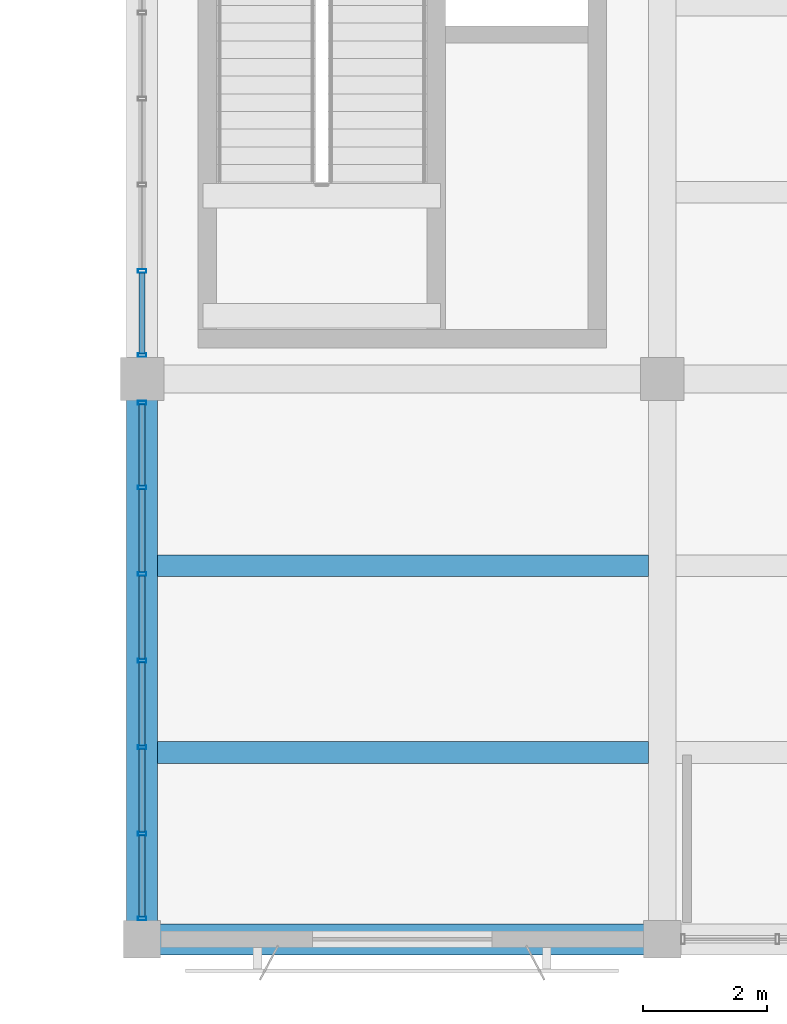
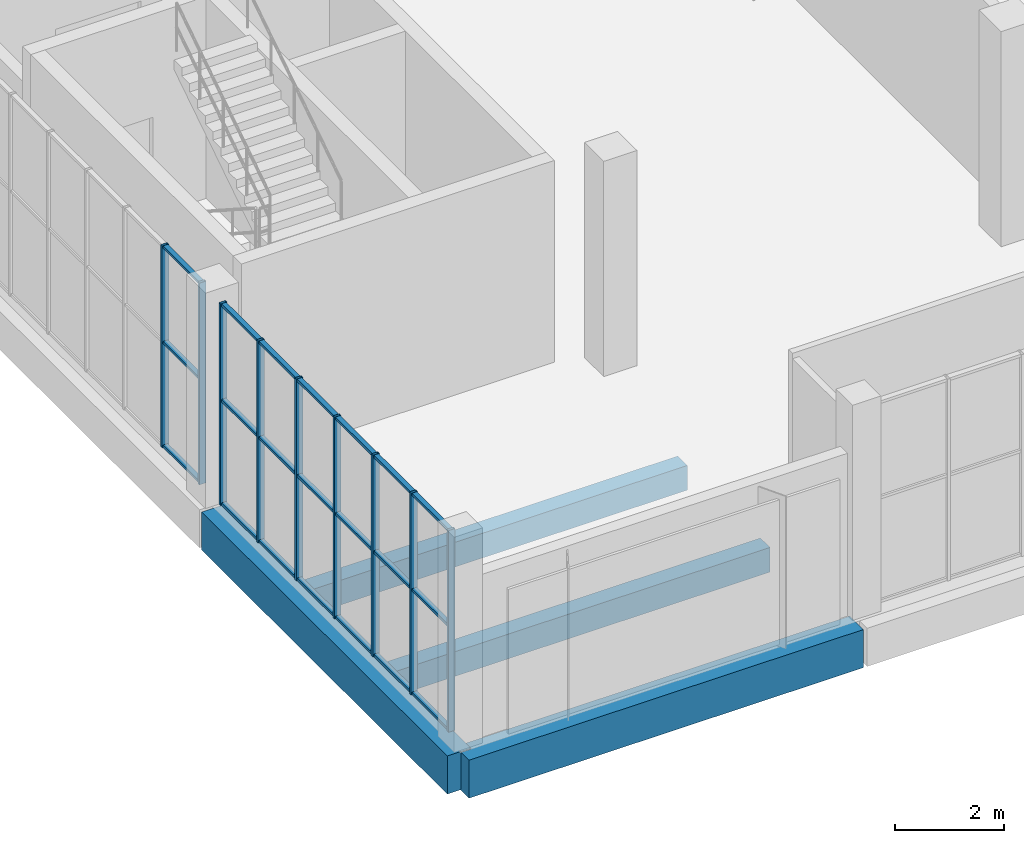
# One storey, part 2 of 80: 30 members, 4 beams, 2 elements without a shape of their own.
"""IFC4 building model written with IfcOpenShell, lengths in metres."""

from ifc_helpers import new_model, si_unit, direction, frame, origin, origin_2d, place, context, subcontext, project, spatial, rectangle, hollow_rectangle, extrude, material, material_profile, profile_set, type_object, element, aggregate, save


model = new_model("IFC4")

# Units and contexts
model_context = context("Model", 3, precision=1e-05, world=origin(), true_north=direction((0.0, 1.0)))
body_context = subcontext(model_context, "Body", "Model", "MODEL_VIEW")
ifc_project = project(units=[si_unit("LENGTHUNIT", "METRE"), si_unit("AREAUNIT", "SQUARE_METRE"), si_unit("VOLUMEUNIT", "CUBIC_METRE"), si_unit("PLANEANGLEUNIT", "RADIAN"), si_unit("MASSUNIT", "GRAM", prefix="KILO")], contexts=[model_context])

# Site, building, storey
site_placement = place(None, origin())
site = spatial("IfcSite", under=ifc_project, at=site_placement, CompositionType="ELEMENT")
building_placement = place(site_placement, origin())
building = spatial("IfcBuilding", under=site, at=building_placement, Name="Khurvash Pelagic Aquarium", CompositionType="ELEMENT")
storey_placement = place(building_placement, frame((0.0, 0.0, 10.800048828125)))
storey = spatial("IfcBuildingStorey", under=building, at=storey_placement, Name="L02", CompositionType="ELEMENT", Elevation=10.800048828125)

# Curtain wall, members
ifc_material_1 = material(Name="Anodised aluminium and low-E laminated glass", Category="aluminium")
curtain_wall_type = type_object("IfcCurtainWallType", Name="CW-03", PredefinedType="USERDEFINED", material=ifc_material_1)
curtain_wall_1_placement = place(storey_placement, origin())
curtain_wall_1 = element("IfcCurtainWall", 1, at=curtain_wall_1_placement, inside=storey, type_object=curtain_wall_type, Name="L02 Facade Unitised Curtain Wall CW-03 0149", ObjectType="UNITISED CURTAIN WALL", PredefinedType="USERDEFINED")
ifc_material_2 = material(Name="Extruded aluminium AW-6063-T6", Category="aluminium")
ifc_material_profile_1 = material_profile(ifc_material_2, hollow_rectangle(XDim=0.06005859375, YDim=0.139892578125, WallThickness=0.00390625, at=origin_2d()), Name="CWM60X140X4")
ifc_profile_set_1 = profile_set([ifc_material_profile_1], Name="Extruded aluminium AW-6063-T6")
member_type_1 = type_object("IfcMemberType", Name="CM-03", PredefinedType="MULLION", material=ifc_profile_set_1)
member_1_placement = place(storey_placement, frame((25.199951171875, 13.39501953125, 0.0), z_axis=(0.0, 0.0, 1.0), x_axis=(0.0, -1.0, 0.0)))
member_1 = element("IfcMember", 2, at=member_1_placement, type_object=member_type_1, Name="CW-03 mullion 6", PredefinedType="MULLION", context=body_context, shape_type="SweptSolid", body=[
    extrude(hollow_rectangle(XDim=0.06005859375, YDim=0.139892578125, WallThickness=0.00390625, at=origin_2d()), origin(), (0.0, 0.0, 1.0), 4.5),
])
member_2_placement = place(storey_placement, frame((25.199951171875, 12.034912109375, 0.0), z_axis=(0.0, 0.0, 1.0), x_axis=(0.0, -1.0, 0.0)))
member_2 = element("IfcMember", 3, at=member_2_placement, type_object=member_type_1, Name="CW-03 mullion 7", PredefinedType="MULLION", context=body_context, shape_type="SweptSolid", body=[
    extrude(hollow_rectangle(XDim=0.06005859375, YDim=0.139892578125, WallThickness=0.00390625, at=origin_2d()), origin(), (0.0, 0.0, 1.0), 4.5),
])

curtain_wall_2_placement = place(storey_placement, origin())
curtain_wall_2 = element("IfcCurtainWall", 4, at=curtain_wall_2_placement, inside=storey, type_object=curtain_wall_type, Name="L02 Facade Unitised Curtain Wall CW-03 0150", ObjectType="UNITISED CURTAIN WALL", PredefinedType="USERDEFINED")
member_3_placement = place(storey_placement, frame((25.199951171875, 11.264892578125, 0.0), z_axis=(0.0, 0.0, 1.0), x_axis=(0.0, -1.0, 0.0)))
member_3 = element("IfcMember", 5, at=member_3_placement, type_object=member_type_1, Name="CW-03 mullion 1", PredefinedType="MULLION", context=body_context, shape_type="SweptSolid", body=[
    extrude(hollow_rectangle(XDim=0.06005859375, YDim=0.139892578125, WallThickness=0.00390625, at=origin_2d()), origin(), (0.0, 0.0, 1.0), 4.5),
])
member_4_placement = place(storey_placement, frame((25.199951171875, 9.896728515625, 0.0), z_axis=(0.0, 0.0, 1.0), x_axis=(0.0, -1.0, 0.0)))
member_4 = element("IfcMember", 6, at=member_4_placement, type_object=member_type_1, Name="CW-03 mullion 2", PredefinedType="MULLION", context=body_context, shape_type="SweptSolid", body=[
    extrude(hollow_rectangle(XDim=0.06005859375, YDim=0.139892578125, WallThickness=0.00390625, at=origin_2d()), origin(), (0.0, 0.0, 1.0), 4.5),
])
member_5_placement = place(storey_placement, frame((25.199951171875, 8.498291015625, 0.0), z_axis=(0.0, 0.0, 1.0), x_axis=(0.0, -1.0, 0.0)))
member_5 = element("IfcMember", 7, at=member_5_placement, type_object=member_type_1, Name="CW-03 mullion 3", PredefinedType="MULLION", context=body_context, shape_type="SweptSolid", body=[
    extrude(hollow_rectangle(XDim=0.06005859375, YDim=0.139892578125, WallThickness=0.00390625, at=origin_2d()), origin(), (0.0, 0.0, 1.0), 4.5),
])
member_6_placement = place(storey_placement, frame((25.199951171875, 7.10009765625, 0.0), z_axis=(0.0, 0.0, 1.0), x_axis=(0.0, -1.0, 0.0)))
member_6 = element("IfcMember", 8, at=member_6_placement, type_object=member_type_1, Name="CW-03 mullion 4", PredefinedType="MULLION", context=body_context, shape_type="SweptSolid", body=[
    extrude(hollow_rectangle(XDim=0.06005859375, YDim=0.139892578125, WallThickness=0.00390625, at=origin_2d()), origin(), (0.0, 0.0, 1.0), 4.5),
])
member_7_placement = place(storey_placement, frame((25.199951171875, 5.70166015625, 0.0), z_axis=(0.0, 0.0, 1.0), x_axis=(0.0, -1.0, 0.0)))
member_7 = element("IfcMember", 9, at=member_7_placement, type_object=member_type_1, Name="CW-03 mullion 5", PredefinedType="MULLION", context=body_context, shape_type="SweptSolid", body=[
    extrude(hollow_rectangle(XDim=0.06005859375, YDim=0.139892578125, WallThickness=0.00390625, at=origin_2d()), origin(), (0.0, 0.0, 1.0), 4.5),
])
member_8_placement = place(storey_placement, frame((25.199951171875, 4.30322265625, 0.0), z_axis=(0.0, 0.0, 1.0), x_axis=(0.0, -1.0, 0.0)))
member_8 = element("IfcMember", 10, at=member_8_placement, type_object=member_type_1, Name="CW-03 mullion 6", PredefinedType="MULLION", context=body_context, shape_type="SweptSolid", body=[
    extrude(hollow_rectangle(XDim=0.06005859375, YDim=0.139892578125, WallThickness=0.00390625, at=origin_2d()), origin(), (0.0, 0.0, 1.0), 4.5),
])
member_9_placement = place(storey_placement, frame((25.199951171875, 2.93505859375, 0.0), z_axis=(0.0, 0.0, 1.0), x_axis=(0.0, -1.0, 0.0)))
member_9 = element("IfcMember", 11, at=member_9_placement, type_object=member_type_1, Name="CW-03 mullion 7", PredefinedType="MULLION", context=body_context, shape_type="SweptSolid", body=[
    extrude(hollow_rectangle(XDim=0.06005859375, YDim=0.139892578125, WallThickness=0.00390625, at=origin_2d()), origin(), (0.0, 0.0, 1.0), 4.5),
])

# Member
ifc_material_profile_2 = material_profile(ifc_material_2, hollow_rectangle(XDim=0.10009765625, YDim=0.06005859375, WallThickness=0.00390625, at=origin_2d()), Name="CWT100X60X4")
ifc_profile_set_2 = profile_set([ifc_material_profile_2], Name="Extruded aluminium AW-6063-T6")
member_type_2 = type_object("IfcMemberType", Name="CT-03", PredefinedType="USERDEFINED", material=ifc_profile_set_2)
member_10_placement = place(storey_placement, frame((25.199951171875, 13.364990234375, 0.030029296875), z_axis=(0.0, -1.0, 0.0), x_axis=(1.0, 0.0, 0.0)))
member_10 = element("IfcMember", 12, at=member_10_placement, type_object=member_type_2, Name="CW-03 transom 6.1", ObjectType="TRANSOM", PredefinedType="USERDEFINED", context=body_context, shape_type="SweptSolid", body=[
    extrude(hollow_rectangle(XDim=0.10009765625, YDim=0.06005859375, WallThickness=0.00390625, at=origin_2d()), origin(), (0.0, 0.0, 1.0), 1.300048828125),
])

member_11_placement = place(storey_placement, frame((25.199951171875, 13.364990234375, 2.33984375), z_axis=(0.0, -1.0, 0.0), x_axis=(1.0, 0.0, 0.0)))
member_11 = element("IfcMember", 13, at=member_11_placement, type_object=member_type_2, Name="CW-03 transom 6.2", ObjectType="TRANSOM", PredefinedType="USERDEFINED", context=body_context, shape_type="SweptSolid", body=[
    extrude(hollow_rectangle(XDim=0.10009765625, YDim=0.06005859375, WallThickness=0.00390625, at=origin_2d()), origin(), (0.0, 0.0, 1.0), 1.300048828125),
])

member_12_placement = place(storey_placement, frame((25.199951171875, 13.364990234375, 4.469970703125), z_axis=(0.0, -1.0, 0.0), x_axis=(1.0, 0.0, 0.0)))
member_12 = element("IfcMember", 14, at=member_12_placement, type_object=member_type_2, Name="CW-03 transom 6.3", ObjectType="TRANSOM", PredefinedType="USERDEFINED", context=body_context, shape_type="SweptSolid", body=[
    extrude(hollow_rectangle(XDim=0.10009765625, YDim=0.06005859375, WallThickness=0.00390625, at=origin_2d()), origin(), (0.0, 0.0, 1.0), 1.300048828125),
])

aggregate(curtain_wall_1, [member_1, member_2, member_10, member_11, member_12])

member_13_placement = place(storey_placement, frame((25.199951171875, 11.235107421875, 0.030029296875), z_axis=(0.0, -1.0, 0.0), x_axis=(1.0, 0.0, 0.0)))
member_13 = element("IfcMember", 15, at=member_13_placement, type_object=member_type_2, Name="CW-03 transom 1.1", ObjectType="TRANSOM", PredefinedType="USERDEFINED", context=body_context, shape_type="SweptSolid", body=[
    extrude(hollow_rectangle(XDim=0.10009765625, YDim=0.06005859375, WallThickness=0.00390625, at=origin_2d()), origin(), (0.0, 0.0, 1.0), 1.308349609375),
])

member_14_placement = place(storey_placement, frame((25.199951171875, 11.235107421875, 2.33984375), z_axis=(0.0, -1.0, 0.0), x_axis=(1.0, 0.0, 0.0)))
member_14 = element("IfcMember", 16, at=member_14_placement, type_object=member_type_2, Name="CW-03 transom 1.2", ObjectType="TRANSOM", PredefinedType="USERDEFINED", context=body_context, shape_type="SweptSolid", body=[
    extrude(hollow_rectangle(XDim=0.10009765625, YDim=0.06005859375, WallThickness=0.00390625, at=origin_2d()), origin(), (0.0, 0.0, 1.0), 1.308349609375),
])

member_15_placement = place(storey_placement, frame((25.199951171875, 11.235107421875, 4.469970703125), z_axis=(0.0, -1.0, 0.0), x_axis=(1.0, 0.0, 0.0)))
member_15 = element("IfcMember", 17, at=member_15_placement, type_object=member_type_2, Name="CW-03 transom 1.3", ObjectType="TRANSOM", PredefinedType="USERDEFINED", context=body_context, shape_type="SweptSolid", body=[
    extrude(hollow_rectangle(XDim=0.10009765625, YDim=0.06005859375, WallThickness=0.00390625, at=origin_2d()), origin(), (0.0, 0.0, 1.0), 1.308349609375),
])

member_16_placement = place(storey_placement, frame((25.199951171875, 9.86669921875, 0.030029296875), z_axis=(0.0, -1.0, 0.0), x_axis=(1.0, 0.0, 0.0)))
member_16 = element("IfcMember", 18, at=member_16_placement, type_object=member_type_2, Name="CW-03 transom 2.1", ObjectType="TRANSOM", PredefinedType="USERDEFINED", context=body_context, shape_type="SweptSolid", body=[
    extrude(hollow_rectangle(XDim=0.10009765625, YDim=0.06005859375, WallThickness=0.00390625, at=origin_2d()), origin(), (0.0, 0.0, 1.0), 1.33837890625),
])

member_17_placement = place(storey_placement, frame((25.199951171875, 9.86669921875, 2.33984375), z_axis=(0.0, -1.0, 0.0), x_axis=(1.0, 0.0, 0.0)))
member_17 = element("IfcMember", 19, at=member_17_placement, type_object=member_type_2, Name="CW-03 transom 2.2", ObjectType="TRANSOM", PredefinedType="USERDEFINED", context=body_context, shape_type="SweptSolid", body=[
    extrude(hollow_rectangle(XDim=0.10009765625, YDim=0.06005859375, WallThickness=0.00390625, at=origin_2d()), origin(), (0.0, 0.0, 1.0), 1.33837890625),
])

member_18_placement = place(storey_placement, frame((25.199951171875, 9.86669921875, 4.469970703125), z_axis=(0.0, -1.0, 0.0), x_axis=(1.0, 0.0, 0.0)))
member_18 = element("IfcMember", 20, at=member_18_placement, type_object=member_type_2, Name="CW-03 transom 2.3", ObjectType="TRANSOM", PredefinedType="USERDEFINED", context=body_context, shape_type="SweptSolid", body=[
    extrude(hollow_rectangle(XDim=0.10009765625, YDim=0.06005859375, WallThickness=0.00390625, at=origin_2d()), origin(), (0.0, 0.0, 1.0), 1.33837890625),
])

member_19_placement = place(storey_placement, frame((25.199951171875, 8.46826171875, 0.030029296875), z_axis=(0.0, -1.0, 0.0), x_axis=(1.0, 0.0, 0.0)))
member_19 = element("IfcMember", 21, at=member_19_placement, type_object=member_type_2, Name="CW-03 transom 3.1", ObjectType="TRANSOM", PredefinedType="USERDEFINED", context=body_context, shape_type="SweptSolid", body=[
    extrude(hollow_rectangle(XDim=0.10009765625, YDim=0.06005859375, WallThickness=0.00390625, at=origin_2d()), origin(), (0.0, 0.0, 1.0), 1.33837890625),
])

member_20_placement = place(storey_placement, frame((25.199951171875, 8.46826171875, 2.33984375), z_axis=(0.0, -1.0, 0.0), x_axis=(1.0, 0.0, 0.0)))
member_20 = element("IfcMember", 22, at=member_20_placement, type_object=member_type_2, Name="CW-03 transom 3.2", ObjectType="TRANSOM", PredefinedType="USERDEFINED", context=body_context, shape_type="SweptSolid", body=[
    extrude(hollow_rectangle(XDim=0.10009765625, YDim=0.06005859375, WallThickness=0.00390625, at=origin_2d()), origin(), (0.0, 0.0, 1.0), 1.33837890625),
])

member_21_placement = place(storey_placement, frame((25.199951171875, 8.46826171875, 4.469970703125), z_axis=(0.0, -1.0, 0.0), x_axis=(1.0, 0.0, 0.0)))
member_21 = element("IfcMember", 23, at=member_21_placement, type_object=member_type_2, Name="CW-03 transom 3.3", ObjectType="TRANSOM", PredefinedType="USERDEFINED", context=body_context, shape_type="SweptSolid", body=[
    extrude(hollow_rectangle(XDim=0.10009765625, YDim=0.06005859375, WallThickness=0.00390625, at=origin_2d()), origin(), (0.0, 0.0, 1.0), 1.33837890625),
])

member_22_placement = place(storey_placement, frame((25.199951171875, 7.070068359375, 0.030029296875), z_axis=(0.0, -1.0, 0.0), x_axis=(1.0, 0.0, 0.0)))
member_22 = element("IfcMember", 24, at=member_22_placement, type_object=member_type_2, Name="CW-03 transom 4.1", ObjectType="TRANSOM", PredefinedType="USERDEFINED", context=body_context, shape_type="SweptSolid", body=[
    extrude(hollow_rectangle(XDim=0.10009765625, YDim=0.06005859375, WallThickness=0.00390625, at=origin_2d()), origin(), (0.0, 0.0, 1.0), 1.33837890625),
])

member_23_placement = place(storey_placement, frame((25.199951171875, 7.070068359375, 2.33984375), z_axis=(0.0, -1.0, 0.0), x_axis=(1.0, 0.0, 0.0)))
member_23 = element("IfcMember", 25, at=member_23_placement, type_object=member_type_2, Name="CW-03 transom 4.2", ObjectType="TRANSOM", PredefinedType="USERDEFINED", context=body_context, shape_type="SweptSolid", body=[
    extrude(hollow_rectangle(XDim=0.10009765625, YDim=0.06005859375, WallThickness=0.00390625, at=origin_2d()), origin(), (0.0, 0.0, 1.0), 1.33837890625),
])

member_24_placement = place(storey_placement, frame((25.199951171875, 7.070068359375, 4.469970703125), z_axis=(0.0, -1.0, 0.0), x_axis=(1.0, 0.0, 0.0)))
member_24 = element("IfcMember", 26, at=member_24_placement, type_object=member_type_2, Name="CW-03 transom 4.3", ObjectType="TRANSOM", PredefinedType="USERDEFINED", context=body_context, shape_type="SweptSolid", body=[
    extrude(hollow_rectangle(XDim=0.10009765625, YDim=0.06005859375, WallThickness=0.00390625, at=origin_2d()), origin(), (0.0, 0.0, 1.0), 1.33837890625),
])

member_25_placement = place(storey_placement, frame((25.199951171875, 5.671630859375, 0.030029296875), z_axis=(0.0, -1.0, 0.0), x_axis=(1.0, 0.0, 0.0)))
member_25 = element("IfcMember", 27, at=member_25_placement, type_object=member_type_2, Name="CW-03 transom 5.1", ObjectType="TRANSOM", PredefinedType="USERDEFINED", context=body_context, shape_type="SweptSolid", body=[
    extrude(hollow_rectangle(XDim=0.10009765625, YDim=0.06005859375, WallThickness=0.00390625, at=origin_2d()), origin(), (0.0, 0.0, 1.0), 1.33837890625),
])

member_26_placement = place(storey_placement, frame((25.199951171875, 5.671630859375, 2.33984375), z_axis=(0.0, -1.0, 0.0), x_axis=(1.0, 0.0, 0.0)))
member_26 = element("IfcMember", 28, at=member_26_placement, type_object=member_type_2, Name="CW-03 transom 5.2", ObjectType="TRANSOM", PredefinedType="USERDEFINED", context=body_context, shape_type="SweptSolid", body=[
    extrude(hollow_rectangle(XDim=0.10009765625, YDim=0.06005859375, WallThickness=0.00390625, at=origin_2d()), origin(), (0.0, 0.0, 1.0), 1.33837890625),
])

member_27_placement = place(storey_placement, frame((25.199951171875, 5.671630859375, 4.469970703125), z_axis=(0.0, -1.0, 0.0), x_axis=(1.0, 0.0, 0.0)))
member_27 = element("IfcMember", 29, at=member_27_placement, type_object=member_type_2, Name="CW-03 transom 5.3", ObjectType="TRANSOM", PredefinedType="USERDEFINED", context=body_context, shape_type="SweptSolid", body=[
    extrude(hollow_rectangle(XDim=0.10009765625, YDim=0.06005859375, WallThickness=0.00390625, at=origin_2d()), origin(), (0.0, 0.0, 1.0), 1.33837890625),
])

member_28_placement = place(storey_placement, frame((25.199951171875, 4.2734375, 0.030029296875), z_axis=(0.0, -1.0, 0.0), x_axis=(1.0, 0.0, 0.0)))
member_28 = element("IfcMember", 30, at=member_28_placement, type_object=member_type_2, Name="CW-03 transom 6.1", ObjectType="TRANSOM", PredefinedType="USERDEFINED", context=body_context, shape_type="SweptSolid", body=[
    extrude(hollow_rectangle(XDim=0.10009765625, YDim=0.06005859375, WallThickness=0.00390625, at=origin_2d()), origin(), (0.0, 0.0, 1.0), 1.308349609375),
])

member_29_placement = place(storey_placement, frame((25.199951171875, 4.2734375, 2.33984375), z_axis=(0.0, -1.0, 0.0), x_axis=(1.0, 0.0, 0.0)))
member_29 = element("IfcMember", 31, at=member_29_placement, type_object=member_type_2, Name="CW-03 transom 6.2", ObjectType="TRANSOM", PredefinedType="USERDEFINED", context=body_context, shape_type="SweptSolid", body=[
    extrude(hollow_rectangle(XDim=0.10009765625, YDim=0.06005859375, WallThickness=0.00390625, at=origin_2d()), origin(), (0.0, 0.0, 1.0), 1.308349609375),
])

member_30_placement = place(storey_placement, frame((25.199951171875, 4.2734375, 4.469970703125), z_axis=(0.0, -1.0, 0.0), x_axis=(1.0, 0.0, 0.0)))
member_30 = element("IfcMember", 32, at=member_30_placement, type_object=member_type_2, Name="CW-03 transom 6.3", ObjectType="TRANSOM", PredefinedType="USERDEFINED", context=body_context, shape_type="SweptSolid", body=[
    extrude(hollow_rectangle(XDim=0.10009765625, YDim=0.06005859375, WallThickness=0.00390625, at=origin_2d()), origin(), (0.0, 0.0, 1.0), 1.308349609375),
])

aggregate(curtain_wall_2, [member_3, member_4, member_5, member_6, member_7, member_8, member_9, member_13, member_14, member_15, member_16, member_17, member_18, member_19, member_20, member_21, member_22, member_23, member_24, member_25, member_26, member_27, member_28, member_29, member_30])

# Beams
ifc_material_3 = material(Name="Concrete C35/45", Category="concrete")
ifc_material_profile_3 = material_profile(ifc_material_3, rectangle(XDim=0.35009765625, YDim=0.550048828125, at=origin_2d()), Name="RC350X550")
ifc_profile_set_3 = profile_set([ifc_material_profile_3], Name="Concrete C35/45")
beam_type_1 = type_object("IfcBeamType", Name="JS-01", PredefinedType="JOIST", material=ifc_profile_set_3)
for number, where, z_axis, x_axis, name in (
    (33, (25.449951171875, 5.616943359375, -0.574951171875), (1.0, 0.0, 0.0), (0.0, 1.0, 0.0), "L02 Floor Joist JS-01 00737"),
    (34, (25.449951171875, 8.633056640625, -0.574951171875), (1.0, 0.0, 0.0), (0.0, 1.0, 0.0), "L02 Floor Joist JS-01 00738"),
):
    element("IfcBeam", number, at=place(storey_placement, frame(where, z_axis=z_axis, x_axis=x_axis)), inside=storey, type_object=beam_type_1, Name=name, PredefinedType="JOIST", context=body_context, shape_type="SweptSolid", body=[
        extrude(rectangle(XDim=0.35009765625, YDim=0.550048828125, at=origin_2d()), origin(), (0.0, 0.0, 1.0), 7.925048828125),
    ])
ifc_material_4 = material(Name="Concrete C40/50", Category="concrete")
ifc_material_profile_4 = material_profile(ifc_material_4, rectangle(XDim=0.5, YDim=0.85009765625, at=origin_2d()), Name="RC500X850")
ifc_profile_set_4 = profile_set([ifc_material_profile_4], Name="Concrete C40/50")
beam_type_2 = type_object("IfcBeamType", Name="SEB-03", PredefinedType="SPANDREL", material=ifc_profile_set_4)
beam_1_placement = place(storey_placement, frame((25.239990234375, 2.60009765625, -0.7451171875), z_axis=(1.0, 0.0, 0.0), x_axis=(0.0, 1.0, 0.0)))
element("IfcBeam", 35, at=beam_1_placement, inside=storey, type_object=beam_type_2, Name="L02 Primary Girder SEB-03 00562", PredefinedType="SPANDREL", context=body_context, shape_type="SweptSolid", body=[
    extrude(rectangle(XDim=0.5, YDim=0.85009765625, at=origin_2d()), origin(), (0.0, 0.0, 1.0), 8.320068359375),
])
beam_2_placement = place(storey_placement, frame((25.199951171875, 2.639892578125, -0.72509765625), z_axis=(0.0, 1.0, 0.0), x_axis=(-1.0, 0.0, 0.0)))
element("IfcBeam", 36, at=beam_2_placement, inside=storey, type_object=beam_type_2, Name="L02 Primary Girder SEB-03 00658", PredefinedType="SPANDREL", context=body_context, shape_type="SweptSolid", body=[
    extrude(rectangle(XDim=0.5, YDim=0.85009765625, at=origin_2d()), origin(), (0.0, 0.0, 1.0), 8.97021484375),
])

save(model, "model.ifc")
